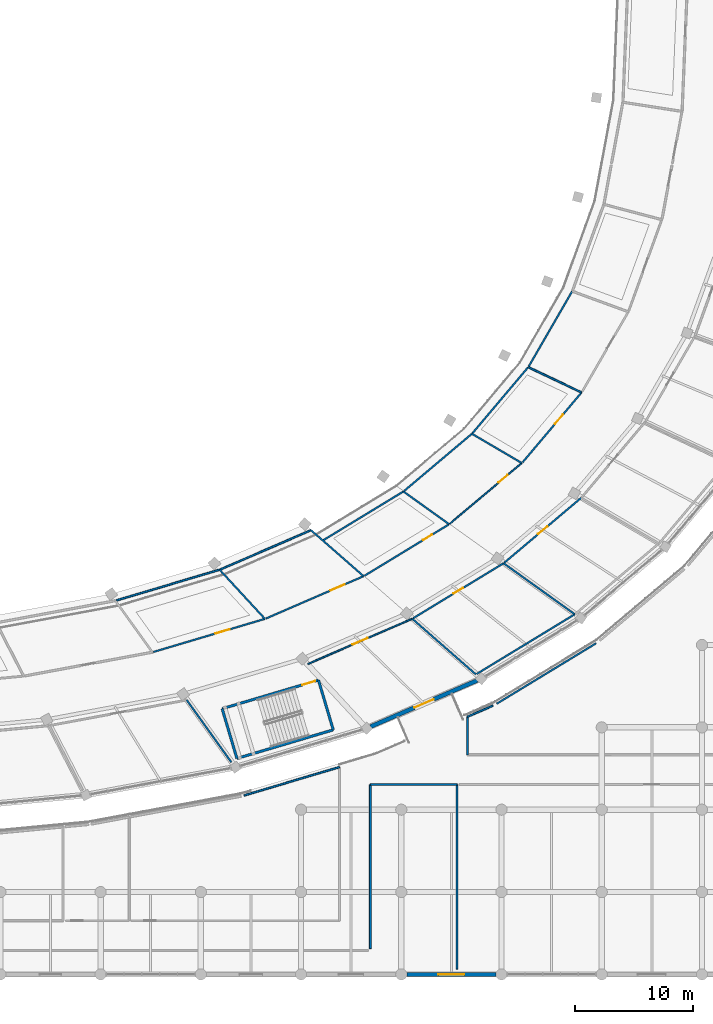
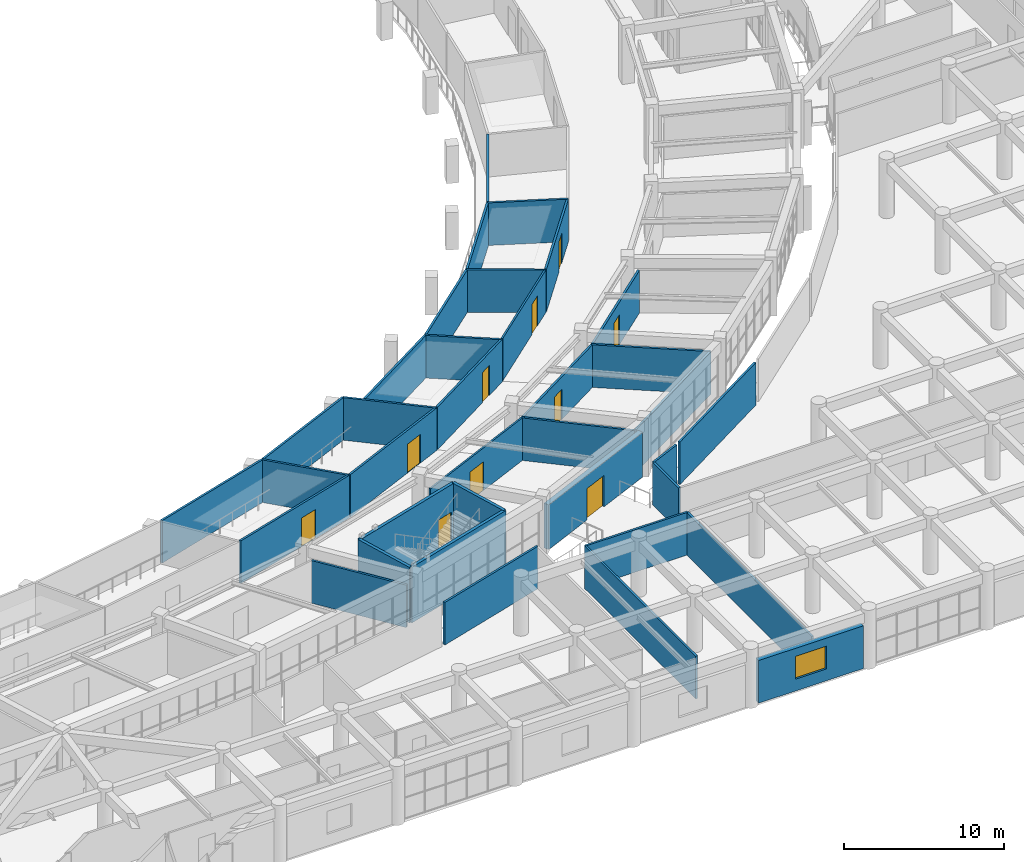
# One storey, part 98 of 141: 36 walls, 10 doors, 1 window, 11 openings.
"""IFC4 building model written with IfcOpenShell, lengths in metres."""

from ifc_helpers import new_model, si_unit, direction, frame, frame_2d, origin, place, context, subcontext, project, spatial, rectangle, extrude, material, layer, layer_set, type_object, element, fill, save


model = new_model("IFC4")

# Units and contexts
model_context = context("Model", 3, precision=1e-05, world=origin(), true_north=direction((0.0, 1.0)))
body_context = subcontext(model_context, "Body", "Model", "MODEL_VIEW")
ifc_project = project(units=[si_unit("LENGTHUNIT", "METRE"), si_unit("AREAUNIT", "SQUARE_METRE"), si_unit("VOLUMEUNIT", "CUBIC_METRE"), si_unit("PLANEANGLEUNIT", "RADIAN"), si_unit("MASSUNIT", "GRAM", prefix="KILO")], contexts=[model_context])

# Site, building, storey
site_placement = place(None, origin())
site = spatial("IfcSite", under=ifc_project, at=site_placement, CompositionType="ELEMENT")
building_placement = place(site_placement, origin())
building = spatial("IfcBuilding", under=site, at=building_placement, Name="Mphavela Belvedere Stadium", CompositionType="ELEMENT")
storey_placement = place(building_placement, frame((0.0, 0.0, 14.699951171875)))
storey = spatial("IfcBuildingStorey", under=building, at=storey_placement, Name="L03", CompositionType="ELEMENT", Elevation=14.699951171875)

# Walls
ifc_material_1 = material(Name="Concrete C40/50", Category="concrete")
ifc_layer_1 = layer(ifc_material_1, 0.219970703125)
ifc_layer_set_1 = layer_set([ifc_layer_1], Name="Concrete C40/50")
wall_type_1 = type_object("IfcWallType", Name="WAL-CORE-SHEAR-220", PredefinedType="SHEAR", material=ifc_layer_set_1)
wall_1_placement = place(storey_placement, frame((173.10498046875, 20.784912109375, 0.0), z_axis=(0.0, 0.0, 1.0), x_axis=(-0.958675743706, -0.284500998997, 0.0)))
element("IfcWall", 1, at=wall_1_placement, inside=storey, type_object=wall_type_1, Name="Core P04 shear wall L03 rear", PredefinedType="SHEAR", context=body_context, shape_type="SweptSolid", body=[
    extrude(rectangle(XDim=8.540283203125, YDim=0.219970703125, at=frame_2d((4.27001953125, 0.0))), origin(), (0.0, 0.0, 1.0), 4.25),
])
wall_2_placement = place(storey_placement, frame((171.85009765625, 25.0126953125, 0.0), z_axis=(0.0, 0.0, 1.0), x_axis=(0.284548207311, -0.958661732686, 0.0)))
element("IfcWall", 2, at=wall_2_placement, inside=storey, type_object=wall_type_1, Name="Core P04 shear wall L03 left", PredefinedType="SHEAR", context=body_context, shape_type="SweptSolid", body=[
    extrude(rectangle(XDim=4.41015625, YDim=0.219970703125, at=frame_2d((2.205078125, 0.0))), origin(), (0.0, 0.0, 1.0), 4.25),
])
wall_3_placement = place(storey_placement, frame((163.6630859375, 22.5830078125, 0.0), z_axis=(0.0, 0.0, 1.0), x_axis=(0.284497328872, -0.958676832861, 0.0)))
element("IfcWall", 3, at=wall_3_placement, inside=storey, type_object=wall_type_1, Name="Core P04 shear wall L03 right", PredefinedType="SHEAR", context=body_context, shape_type="SweptSolid", body=[
    extrude(rectangle(XDim=4.409912109375, YDim=0.219970703125, at=frame_2d((2.205078125, 0.0))), origin(), (0.0, 0.0, 1.0), 4.25),
])

# Wall, opening, door
wall_4_placement = place(storey_placement, frame((171.85009765625, 25.0126953125, 0.0), z_axis=(0.0, 0.0, 1.0), x_axis=(-0.95867342973, -0.284508796227, 0.0)))
wall_4 = element("IfcWall", 4, at=wall_4_placement, inside=storey, type_object=wall_type_1, Name="Core P04 shear wall L03 front", PredefinedType="SHEAR", context=body_context, shape_type="SweptSolid", body=[
    extrude(rectangle(XDim=8.5400390625, YDim=0.219970703125, at=frame_2d((4.27001953125, 0.0))), origin(), (0.0, 0.0, 1.0), 4.25),
])
opening_1_placement = place(wall_4_placement, frame((0.300048828125, 0.0, 0.0)))
opening_1 = element("IfcOpeningElement", 5, at=opening_1_placement, cuts=wall_4, Name="Opening SD-085", PredefinedType="OPENING", context=body_context, shape_type="SweptSolid", body=[
    extrude(rectangle(XDim=1.14990234375, YDim=2.14990234375, at=frame_2d((0.574951171875, 1.074951171875))), frame((0.0, 0.1201171875, 0.0), z_axis=(0.0, -1.0, 0.0), x_axis=(1.0, 0.0, 0.0)), (0.0, 0.0, 1.0), 0.239990234375),
])
ifc_material_2 = material(Name="Steel acoustic fire-resisting stair doorset", Category="steel")
door_type_1 = type_object("IfcDoorType", Name="DR-STAIR-FIRE-1150", OperationType="NOTDEFINED", PredefinedType="DOOR", material=ifc_material_2)
door_1_placement = place(opening_1_placement, origin())
door_1 = element("IfcDoor", 6, at=door_1_placement, inside=storey, type_object=door_type_1, Name="Escape stair fire door P04 L03", OperationType="SINGLE_SWING_LEFT", OverallHeight=2.14990234375, OverallWidth=1.14990234375, PredefinedType="DOOR", context=body_context, shape_type="SweptSolid", body=[
    extrude(rectangle(XDim=1.14990234375, YDim=2.14990234375, at=frame_2d((0.574951171875, 1.074951171875))), frame((0.0, 0.02490234375, 0.0), z_axis=(0.0, -1.0, 0.0), x_axis=(1.0, 0.0, 0.0)), (0.0, 0.0, 1.0), 0.050048828125),
])
fill(opening_1, door_1)

ifc_material_3 = material(Name="Honed ashlar limestone masonry", Category="masonry")
ifc_layer_2 = layer(ifc_material_3, 0.35009765625)
ifc_layer_set_2 = layer_set([ifc_layer_2], Name="Honed ashlar limestone masonry")
wall_type_2 = type_object("IfcWallType", Name="WAL-EXT-ASHLAR-350", PredefinedType="STANDARD", material=ifc_layer_set_2)
wall_5_placement = place(storey_placement, frame((185.35400390625, 24.99072265625, 0.0), z_axis=(0.0, 0.0, 1.0), x_axis=(-0.917502782842, -0.397729359587, 0.0)))
wall_5 = element("IfcWall", 7, at=wall_5_placement, inside=storey, type_object=wall_type_2, Name="Classical link portal wall L03-41", PredefinedType="STANDARD", context=body_context, shape_type="SweptSolid", body=[
    extrude(rectangle(XDim=9.89013671875, YDim=0.35009765625, at=frame_2d((4.945068359375, 0.0))), origin(), (0.0, 0.0, 1.0), 3.420166015625),
])
opening_2_placement = place(wall_5_placement, frame((4.045166015625, 0.0, 0.0)))
opening_2 = element("IfcOpeningElement", 8, at=opening_2_placement, cuts=wall_5, Name="Opening ID-9340", PredefinedType="OPENING", context=body_context, shape_type="SweptSolid", body=[
    extrude(rectangle(XDim=1.800048828125, YDim=2.39990234375, at=frame_2d((0.89990234375, 1.199951171875))), frame((0.0, 0.18505859375, 0.0), z_axis=(0.0, -1.0, 0.0), x_axis=(1.0, 0.0, 0.0)), (0.0, 0.0, 1.0), 0.3701171875),
])
ifc_material_4 = material(Name="Glazed bronze-anodised steel exit doorset", Category="steel")
door_type_2 = type_object("IfcDoorType", Name="DR-EXT-01", OperationType="NOTDEFINED", PredefinedType="DOOR", material=ifc_material_4)
door_2_placement = place(opening_2_placement, origin())
door_2 = element("IfcDoor", 9, at=door_2_placement, inside=storey, type_object=door_type_2, Name="Wing promenade link doorset L03-41", OperationType="DOUBLE_DOOR_SINGLE_SWING", OverallHeight=2.39990234375, OverallWidth=1.800048828125, PredefinedType="DOOR", context=body_context, shape_type="SweptSolid", body=[
    extrude(rectangle(XDim=1.800048828125, YDim=2.39990234375, at=frame_2d((0.89990234375, 1.199951171875))), frame((0.0, 0.02490234375, 0.0), z_axis=(0.0, -1.0, 0.0), x_axis=(1.0, 0.0, 0.0)), (0.0, 0.0, 1.0), 0.050048828125),
])
fill(opening_2, door_2)

# Wall, opening, window
wall_6_placement = place(storey_placement, frame((186.93408203125, 0.0, 0.0), z_axis=(0.0, 0.0, 1.0), x_axis=(-1.0, 0.0, 0.0)))
wall_6 = element("IfcWall", 10, at=wall_6_placement, inside=storey, type_object=wall_type_2, Name="South Axial Triumphal Peristyle Portico outer facade bay L03-22", PredefinedType="STANDARD", context=body_context, shape_type="SweptSolid", body=[
    extrude(rectangle(XDim=7.572021484375, YDim=0.35009765625, at=frame_2d((3.7861328125, 0.0))), origin(), (0.0, 0.0, 1.0), 3.260009765625),
])
opening_3_placement = place(wall_6_placement, frame((2.676025390625, 0.0, 0.89990234375)))
opening_3 = element("IfcOpeningElement", 11, at=opening_3_placement, cuts=wall_6, Name="Opening W-108", PredefinedType="OPENING", context=body_context, shape_type="SweptSolid", body=[
    extrude(rectangle(XDim=2.219970703125, YDim=1.75, at=frame_2d((1.10986328125, 0.875))), frame((0.0, 0.18505859375, 0.0), z_axis=(0.0, -1.0, 0.0), x_axis=(1.0, 0.0, 0.0)), (0.0, 0.0, 1.0), 0.3701171875),
])
ifc_material_5 = material(Name="Bronze-anodised thermally broken aluminium window", Category="aluminium")
window_type = type_object("IfcWindowType", Name="WIN-EXT-20", PartitioningType="SINGLE_PANEL", PredefinedType="WINDOW", material=ifc_material_5)
window_placement = place(opening_3_placement, origin())
window = element("IfcWindow", 12, at=window_placement, inside=storey, type_object=window_type, Name="South Axial Triumphal Peristyle Portico classical window W-108", OverallHeight=1.75, OverallWidth=2.219970703125, PartitioningType="SINGLE_PANEL", PredefinedType="WINDOW", context=body_context, shape_type="SweptSolid", body=[
    extrude(rectangle(XDim=2.219970703125, YDim=1.75, at=frame_2d((1.10986328125, 0.875))), frame((0.0, 0.030029296875, 0.0), z_axis=(0.0, -1.0, 0.0), x_axis=(1.0, 0.0, 0.0)), (0.0, 0.0, 1.0), 0.06005859375),
])
fill(opening_3, window)

# Wall, opening, door
ifc_material_6 = material(Name="Moisture-resistant sanitary partition assembly")
ifc_layer_3 = layer(ifc_material_6, 0.125)
ifc_layer_set_3 = layer_set([ifc_layer_3], Name="Moisture-resistant sanitary partition assembly")
wall_type_3 = type_object("IfcWallType", Name="WAL-PART-125", PredefinedType="PARTITIONING", material=ifc_layer_set_3)
wall_7_placement = place(storey_placement, frame((170.9462890625, 26.38134765625, 0.0), z_axis=(0.0, 0.0, 1.0), x_axis=(0.917508957037, 0.39771511633, 0.0)))
wall_7 = element("IfcWall", 13, at=wall_7_placement, inside=storey, type_object=wall_type_3, Name="Room L03-143 corridor partition", PredefinedType="PARTITIONING", context=body_context, shape_type="SweptSolid", body=[
    extrude(rectangle(XDim=9.67138671875, YDim=0.125, at=frame_2d((4.835693359375, 0.0))), origin(), (0.0, 0.0, 1.0), 3.25),
])
opening_4_placement = place(wall_7_placement, frame((4.1357421875, 0.0, 0.0)))
opening_4 = element("IfcOpeningElement", 14, at=opening_4_placement, cuts=wall_7, Name="Opening ID-312", PredefinedType="OPENING", context=body_context, shape_type="SweptSolid", body=[
    extrude(rectangle(XDim=1.39990234375, YDim=2.199951171875, at=frame_2d((0.699951171875, 1.10009765625))), frame((0.0, 0.072509765625, 0.0), z_axis=(0.0, -1.0, 0.0), x_axis=(1.0, 0.0, 0.0)), (0.0, 0.0, 1.0), 0.14501953125),
])
ifc_material_7 = material(Name="Hardwood acoustic timber doorset", Category="wood")
door_type_3 = type_object("IfcDoorType", Name="DR-INT-24", OperationType="NOTDEFINED", PredefinedType="DOOR", material=ifc_material_7)
door_3_placement = place(opening_4_placement, origin())
door_3 = element("IfcDoor", 15, at=door_3_placement, inside=storey, type_object=door_type_3, Name="Room L03-143 entrance door ID-312", OperationType="SINGLE_SWING_RIGHT", OverallHeight=2.199951171875, OverallWidth=1.39990234375, PredefinedType="DOOR", context=body_context, shape_type="SweptSolid", body=[
    extrude(rectangle(XDim=1.39990234375, YDim=2.199951171875, at=frame_2d((0.699951171875, 1.10009765625))), frame((0.0, 0.02490234375, 0.0), z_axis=(0.0, -1.0, 0.0), x_axis=(1.0, 0.0, 0.0)), (0.0, 0.0, 1.0), 0.050048828125),
])
fill(opening_4, door_3)

wall_8_placement = place(storey_placement, frame((189.133056640625, 43.460693359375, 0.0), z_axis=(0.0, 0.0, 1.0), x_axis=(-0.764249122867, -0.644921141068, 0.0)))
wall_8 = element("IfcWall", 16, at=wall_8_placement, inside=storey, type_object=wall_type_3, Name="Room L03-148 corridor partition", PredefinedType="PARTITIONING", context=body_context, shape_type="SweptSolid", body=[
    extrude(rectangle(XDim=7.989501953125, YDim=0.125, at=frame_2d((3.99462890625, 0.0))), origin(), (0.0, 0.0, 1.0), 3.25),
])
opening_5_placement = place(wall_8_placement, frame((1.593994140625, 0.0, 0.0)))
opening_5 = element("IfcOpeningElement", 17, at=opening_5_placement, cuts=wall_8, Name="Opening ID-315", PredefinedType="OPENING", context=body_context, shape_type="SweptSolid", body=[
    extrude(rectangle(XDim=0.97998046875, YDim=2.300048828125, at=frame_2d((0.489990234375, 1.14990234375))), frame((0.0, 0.072509765625, 0.0), z_axis=(0.0, -1.0, 0.0), x_axis=(1.0, 0.0, 0.0)), (0.0, 0.0, 1.0), 0.14501953125),
])
ifc_material_8 = material(Name="Hardwood acoustic timber doorset", Category="wood")
door_type_4 = type_object("IfcDoorType", Name="DR-INT-27", OperationType="NOTDEFINED", PredefinedType="DOOR", material=ifc_material_8)
door_4_placement = place(opening_5_placement, origin())
door_4 = element("IfcDoor", 18, at=door_4_placement, inside=storey, type_object=door_type_4, Name="Room L03-148 entrance door ID-315", OperationType="SINGLE_SWING_LEFT", OverallHeight=2.300048828125, OverallWidth=0.97998046875, PredefinedType="DOOR", context=body_context, shape_type="SweptSolid", body=[
    extrude(rectangle(XDim=0.97998046875, YDim=2.300048828125, at=frame_2d((0.489990234375, 1.14990234375))), frame((0.0, 0.02490234375, 0.0), z_axis=(0.0, -1.0, 0.0), x_axis=(1.0, 0.0, 0.0)), (0.0, 0.0, 1.0), 0.050048828125),
])
fill(opening_5, door_4)

ifc_material_9 = material(Name="Acoustic gypsum stud partition assembly")
ifc_layer_4 = layer(ifc_material_9, 0.14990234375)
ifc_layer_set_4 = layer_set([ifc_layer_4], Name="Acoustic gypsum stud partition assembly")
wall_type_4 = type_object("IfcWallType", Name="WAL-PART-150", PredefinedType="PARTITIONING", material=ifc_layer_set_4)
wall_9_placement = place(storey_placement, frame((167.298828125, 30.218994140625, 0.0), z_axis=(0.0, 0.0, 1.0), x_axis=(-0.958655809656, -0.284568161629, 0.0)))
wall_9 = element("IfcWall", 19, at=wall_9_placement, inside=storey, type_object=wall_type_4, Name="Room L03-140 corridor partition", PredefinedType="PARTITIONING", context=body_context, shape_type="SweptSolid", body=[
    extrude(rectangle(XDim=9.89111328125, YDim=0.14990234375, at=frame_2d((4.945556640625, 0.0))), origin(), (0.0, 0.0, 1.0), 3.25),
])
opening_6_placement = place(wall_9_placement, frame((3.116943359375, 0.0, 0.0)))
opening_6 = element("IfcOpeningElement", 20, at=opening_6_placement, cuts=wall_9, Name="Opening ID-310", PredefinedType="OPENING", context=body_context, shape_type="SweptSolid", body=[
    extrude(rectangle(XDim=1.260009765625, YDim=2.199951171875, at=frame_2d((0.6298828125, 1.10009765625))), frame((0.0, 0.0849609375, 0.0), z_axis=(0.0, -1.0, 0.0), x_axis=(1.0, 0.0, 0.0)), (0.0, 0.0, 1.0), 0.169921875),
])
ifc_material_10 = material(Name="Hardwood acoustic timber doorset", Category="wood")
door_type_5 = type_object("IfcDoorType", Name="DR-INT-22", OperationType="NOTDEFINED", PredefinedType="DOOR", material=ifc_material_10)
door_5_placement = place(opening_6_placement, origin())
door_5 = element("IfcDoor", 21, at=door_5_placement, inside=storey, type_object=door_type_5, Name="Room L03-140 entrance door ID-310", OperationType="SINGLE_SWING_RIGHT", OverallHeight=2.199951171875, OverallWidth=1.260009765625, PredefinedType="DOOR", context=body_context, shape_type="SweptSolid", body=[
    extrude(rectangle(XDim=1.260009765625, YDim=2.199951171875, at=frame_2d((0.6298828125, 1.10009765625))), frame((0.0, 0.02490234375, 0.0), z_axis=(0.0, -1.0, 0.0), x_axis=(1.0, 0.0, 0.0)), (0.0, 0.0, 1.0), 0.050048828125),
])
fill(opening_6, door_5)

wall_10_placement = place(storey_placement, frame((175.684814453125, 33.84619140625, 0.0), z_axis=(0.0, 0.0, 1.0), x_axis=(-0.917494590455, -0.397748257677, 0.0)))
wall_10 = element("IfcWall", 22, at=wall_10_placement, inside=storey, type_object=wall_type_4, Name="Room L03-142 corridor partition", PredefinedType="PARTITIONING", context=body_context, shape_type="SweptSolid", body=[
    extrude(rectangle(XDim=9.04931640625, YDim=0.14990234375, at=frame_2d((4.524658203125, 0.0))), origin(), (0.0, 0.0, 1.0), 3.25),
])
opening_7_placement = place(wall_10_placement, frame((1.73779296875, 0.0, 0.0)))
opening_7 = element("IfcOpeningElement", 23, at=opening_7_placement, cuts=wall_10, Name="Opening ID-311", PredefinedType="OPENING", context=body_context, shape_type="SweptSolid", body=[
    extrude(rectangle(XDim=1.320068359375, YDim=2.199951171875, at=frame_2d((0.66015625, 1.10009765625))), frame((0.0, 0.0849609375, 0.0), z_axis=(0.0, -1.0, 0.0), x_axis=(1.0, 0.0, 0.0)), (0.0, 0.0, 1.0), 0.169921875),
])
ifc_material_11 = material(Name="Hardwood acoustic timber doorset", Category="wood")
door_type_6 = type_object("IfcDoorType", Name="DR-INT-23", OperationType="NOTDEFINED", PredefinedType="DOOR", material=ifc_material_11)
door_6_placement = place(opening_7_placement, origin())
door_6 = element("IfcDoor", 24, at=door_6_placement, inside=storey, type_object=door_type_6, Name="Room L03-142 entrance door ID-311", OperationType="SINGLE_SWING_LEFT", OverallHeight=2.199951171875, OverallWidth=1.320068359375, PredefinedType="DOOR", context=body_context, shape_type="SweptSolid", body=[
    extrude(rectangle(XDim=1.320068359375, YDim=2.199951171875, at=frame_2d((0.66015625, 1.10009765625))), frame((0.0, 0.02490234375, 0.0), z_axis=(0.0, -1.0, 0.0), x_axis=(1.0, 0.0, 0.0)), (0.0, 0.0, 1.0), 0.050048828125),
])
fill(opening_7, door_6)

wall_11_placement = place(storey_placement, frame((182.95654296875, 38.26025390625, 0.0), z_axis=(0.0, 0.0, 1.0), x_axis=(-0.854330104408, -0.519730769439, 0.0)))
wall_11 = element("IfcWall", 25, at=wall_11_placement, inside=storey, type_object=wall_type_4, Name="Room L03-145 corridor partition", PredefinedType="PARTITIONING", context=body_context, shape_type="SweptSolid", body=[
    extrude(rectangle(XDim=8.420166015625, YDim=0.14990234375, at=frame_2d((4.2099609375, 0.0))), origin(), (0.0, 0.0, 1.0), 3.25),
])
opening_8_placement = place(wall_11_placement, frame((1.696044921875, 0.0, 0.0)))
opening_8 = element("IfcOpeningElement", 26, at=opening_8_placement, cuts=wall_11, Name="Opening ID-313", PredefinedType="OPENING", context=body_context, shape_type="SweptSolid", body=[
    extrude(rectangle(XDim=0.89990234375, YDim=2.300048828125, at=frame_2d((0.449951171875, 1.14990234375))), frame((0.0, 0.0849609375, 0.0), z_axis=(0.0, -1.0, 0.0), x_axis=(1.0, 0.0, 0.0)), (0.0, 0.0, 1.0), 0.169921875),
])
ifc_material_12 = material(Name="Hardwood acoustic timber doorset", Category="wood")
door_type_7 = type_object("IfcDoorType", Name="DR-INT-25", OperationType="NOTDEFINED", PredefinedType="DOOR", material=ifc_material_12)
door_7_placement = place(opening_8_placement, origin())
door_7 = element("IfcDoor", 27, at=door_7_placement, inside=storey, type_object=door_type_7, Name="Room L03-145 entrance door ID-313", OperationType="SINGLE_SWING_LEFT", OverallHeight=2.300048828125, OverallWidth=0.89990234375, PredefinedType="DOOR", context=body_context, shape_type="SweptSolid", body=[
    extrude(rectangle(XDim=0.89990234375, YDim=2.300048828125, at=frame_2d((0.449951171875, 1.14990234375))), frame((0.0, 0.02490234375, 0.0), z_axis=(0.0, -1.0, 0.0), x_axis=(1.0, 0.0, 0.0)), (0.0, 0.0, 1.0), 0.050048828125),
])
fill(opening_8, door_7)

wall_12_placement = place(storey_placement, frame((179.89453125, 30.268798828125, 0.0), z_axis=(0.0, 0.0, 1.0), x_axis=(0.854321649351, 0.519744667554, 0.0)))
wall_12 = element("IfcWall", 28, at=wall_12_placement, inside=storey, type_object=wall_type_4, Name="Room L03-146 corridor partition", PredefinedType="PARTITIONING", context=body_context, shape_type="SweptSolid", body=[
    extrude(rectangle(XDim=8.99853515625, YDim=0.14990234375, at=frame_2d((4.499267578125, 0.0))), origin(), (0.0, 0.0, 1.0), 3.25),
])
opening_9_placement = place(wall_12_placement, frame((4.029296875, 0.0, 0.0)))
opening_9 = element("IfcOpeningElement", 29, at=opening_9_placement, cuts=wall_12, Name="Opening ID-314", PredefinedType="OPENING", context=body_context, shape_type="SweptSolid", body=[
    extrude(rectangle(XDim=0.93994140625, YDim=2.300048828125, at=frame_2d((0.469970703125, 1.14990234375))), frame((0.0, 0.0849609375, 0.0), z_axis=(0.0, -1.0, 0.0), x_axis=(1.0, 0.0, 0.0)), (0.0, 0.0, 1.0), 0.169921875),
])
ifc_material_13 = material(Name="Hardwood acoustic timber doorset", Category="wood")
door_type_8 = type_object("IfcDoorType", Name="DR-INT-26", OperationType="NOTDEFINED", PredefinedType="DOOR", material=ifc_material_13)
door_8_placement = place(opening_9_placement, origin())
door_8 = element("IfcDoor", 30, at=door_8_placement, inside=storey, type_object=door_type_8, Name="Room L03-146 entrance door ID-314", OperationType="SINGLE_SWING_RIGHT", OverallHeight=2.300048828125, OverallWidth=0.93994140625, PredefinedType="DOOR", context=body_context, shape_type="SweptSolid", body=[
    extrude(rectangle(XDim=0.93994140625, YDim=2.300048828125, at=frame_2d((0.469970703125, 1.14990234375))), frame((0.0, 0.02490234375, 0.0), z_axis=(0.0, -1.0, 0.0), x_axis=(1.0, 0.0, 0.0)), (0.0, 0.0, 1.0), 0.050048828125),
])
fill(opening_9, door_8)

wall_13_placement = place(storey_placement, frame((187.649169921875, 34.996337890625, 0.0), z_axis=(0.0, 0.0, 1.0), x_axis=(0.764257572309, 0.644911128117, 0.0)))
wall_13 = element("IfcWall", 31, at=wall_13_placement, inside=storey, type_object=wall_type_4, Name="Room L03-149 corridor partition", PredefinedType="PARTITIONING", context=body_context, shape_type="SweptSolid", body=[
    extrude(rectangle(XDim=8.53857421875, YDim=0.14990234375, at=frame_2d((4.269287109375, 0.0))), origin(), (0.0, 0.0, 1.0), 3.25),
])
opening_10_placement = place(wall_13_placement, frame((3.75927734375, 0.0, 0.0)))
opening_10 = element("IfcOpeningElement", 32, at=opening_10_placement, cuts=wall_13, Name="Opening ID-316", PredefinedType="OPENING", context=body_context, shape_type="SweptSolid", body=[
    extrude(rectangle(XDim=1.02001953125, YDim=2.300048828125, at=frame_2d((0.510009765625, 1.14990234375))), frame((0.0, 0.0849609375, 0.0), z_axis=(0.0, -1.0, 0.0), x_axis=(1.0, 0.0, 0.0)), (0.0, 0.0, 1.0), 0.169921875),
])
ifc_material_14 = material(Name="Hardwood acoustic timber doorset", Category="wood")
door_type_9 = type_object("IfcDoorType", Name="DR-INT-28", OperationType="NOTDEFINED", PredefinedType="DOOR", material=ifc_material_14)
door_9_placement = place(opening_10_placement, origin())
door_9 = element("IfcDoor", 33, at=door_9_placement, inside=storey, type_object=door_type_9, Name="Room L03-149 entrance door ID-316", OperationType="SINGLE_SWING_RIGHT", OverallHeight=2.300048828125, OverallWidth=1.02001953125, PredefinedType="DOOR", context=body_context, shape_type="SweptSolid", body=[
    extrude(rectangle(XDim=1.02001953125, YDim=2.300048828125, at=frame_2d((0.510009765625, 1.14990234375))), frame((0.0, 0.02490234375, 0.0), z_axis=(0.0, -1.0, 0.0), x_axis=(1.0, 0.0, 0.0)), (0.0, 0.0, 1.0), 0.050048828125),
])
fill(opening_10, door_9)

wall_14_placement = place(storey_placement, frame((194.212158203125, 49.4619140625, 0.0), z_axis=(0.0, 0.0, 1.0), x_axis=(-0.645180817826, -0.764029915847, 0.0)))
wall_14 = element("IfcWall", 34, at=wall_14_placement, inside=storey, type_object=wall_type_4, Name="Room L03-151 corridor partition", PredefinedType="PARTITIONING", context=body_context, shape_type="SweptSolid", body=[
    extrude(rectangle(XDim=7.779296875, YDim=0.14990234375, at=frame_2d((3.8896484375, 0.0))), origin(), (0.0, 0.0, 1.0), 3.25),
])
opening_11_placement = place(wall_14_placement, frame((2.44775390625, 0.0, 0.0)))
opening_11 = element("IfcOpeningElement", 35, at=opening_11_placement, cuts=wall_14, Name="Opening ID-317", PredefinedType="OPENING", context=body_context, shape_type="SweptSolid", body=[
    extrude(rectangle(XDim=1.06005859375, YDim=2.300048828125, at=frame_2d((0.530029296875, 1.14990234375))), frame((0.0, 0.0849609375, 0.0), z_axis=(0.0, -1.0, 0.0), x_axis=(1.0, 0.0, 0.0)), (0.0, 0.0, 1.0), 0.169921875),
])
ifc_material_15 = material(Name="Hardwood acoustic timber doorset", Category="wood")
door_type_10 = type_object("IfcDoorType", Name="DR-INT-29", OperationType="NOTDEFINED", PredefinedType="DOOR", material=ifc_material_15)
door_10_placement = place(opening_11_placement, origin())
door_10 = element("IfcDoor", 36, at=door_10_placement, inside=storey, type_object=door_type_10, Name="Room L03-151 entrance door ID-317", OperationType="SINGLE_SWING_LEFT", OverallHeight=2.300048828125, OverallWidth=1.06005859375, PredefinedType="DOOR", context=body_context, shape_type="SweptSolid", body=[
    extrude(rectangle(XDim=1.06005859375, YDim=2.300048828125, at=frame_2d((0.530029296875, 1.14990234375))), frame((0.0, 0.02490234375, 0.0), z_axis=(0.0, -1.0, 0.0), x_axis=(1.0, 0.0, 0.0)), (0.0, 0.0, 1.0), 0.050048828125),
])
fill(opening_11, door_10)

# Walls
wall_15_placement = place(storey_placement, frame((160.64892578125, 23.3203125, 0.0), z_axis=(0.0, 0.0, 1.0), x_axis=(0.58306104439, -0.812428346696, 0.0)))
element("IfcWall", 37, at=wall_15_placement, inside=storey, type_object=wall_type_4, Name="Room divider partition L03-0557", PredefinedType="PARTITIONING", context=body_context, shape_type="SweptSolid", body=[
    extrude(rectangle(XDim=6.51953125, YDim=0.14990234375, at=frame_2d((3.259765625, 0.0))), origin(), (0.0, 0.0, 1.0), 3.25),
])
wall_16_placement = place(storey_placement, frame((154.67138671875, 31.78759765625, 0.0), z_axis=(0.0, 0.0, 1.0), x_axis=(0.958661639872, 0.284548520005, 0.0)))
element("IfcWall", 38, at=wall_16_placement, inside=storey, type_object=wall_type_4, Name="Room divider partition L03-0558", PredefinedType="PARTITIONING", context=body_context, shape_type="SweptSolid", body=[
    extrude(rectangle(XDim=9.157470703125, YDim=0.14990234375, at=frame_2d((4.57861328125, 0.0))), origin(), (0.0, 0.0, 1.0), 3.25),
])
wall_17_placement = place(storey_placement, frame((163.4501953125, 34.393310546875, 0.0), z_axis=(0.0, 0.0, 1.0), x_axis=(0.677844218495, -0.735205559999, 0.0)))
element("IfcWall", 39, at=wall_17_placement, inside=storey, type_object=wall_type_4, Name="Room divider partition L03-0559", PredefinedType="PARTITIONING", context=body_context, shape_type="SweptSolid", body=[
    extrude(rectangle(XDim=5.677734375, YDim=0.14990234375, at=frame_2d((2.8388671875, 0.0))), origin(), (0.0, 0.0, 1.0), 3.25),
])
wall_18_placement = place(storey_placement, frame((163.5302734375, 34.42431640625, 0.0), z_axis=(0.0, 0.0, 1.0), x_axis=(0.917493946853, 0.397749742286, 0.0)))
element("IfcWall", 40, at=wall_18_placement, inside=storey, type_object=wall_type_4, Name="Room divider partition L03-0560", PredefinedType="PARTITIONING", context=body_context, shape_type="SweptSolid", body=[
    extrude(rectangle(XDim=8.377197265625, YDim=0.14990234375, at=frame_2d((4.1884765625, 0.0))), origin(), (0.0, 0.0, 1.0), 3.25),
])
wall_19_placement = place(storey_placement, frame((171.21630859375, 37.75634765625, 0.0), z_axis=(0.0, 0.0, 1.0), x_axis=(0.752558865068, -0.658524984042, 0.0)))
element("IfcWall", 41, at=wall_19_placement, inside=storey, type_object=wall_type_4, Name="Room divider partition L03-0561", PredefinedType="PARTITIONING", context=body_context, shape_type="SweptSolid", body=[
    extrude(rectangle(XDim=5.937744140625, YDim=0.14990234375, at=frame_2d((2.96875, 0.0))), origin(), (0.0, 0.0, 1.0), 3.25),
])
wall_20_placement = place(storey_placement, frame((179.81982421875, 30.227783203125, 0.0), z_axis=(0.0, 0.0, 1.0), x_axis=(0.752576694707, -0.658504607869, 0.0)))
element("IfcWall", 42, at=wall_20_placement, inside=storey, type_object=wall_type_4, Name="Room divider partition L03-0562", PredefinedType="PARTITIONING", context=body_context, shape_type="SweptSolid", body=[
    extrude(rectangle(XDim=7.178466796875, YDim=0.14990234375, at=frame_2d((3.58935546875, 0.0))), origin(), (0.0, 0.0, 1.0), 3.25),
])
wall_21_placement = place(storey_placement, frame((172.291259765625, 36.921875, 0.0), z_axis=(0.0, 0.0, 1.0), x_axis=(0.854324504961, 0.519739973663, 0.0)))
element("IfcWall", 43, at=wall_21_placement, inside=storey, type_object=wall_type_4, Name="Room divider partition L03-0563", PredefinedType="PARTITIONING", context=body_context, shape_type="SweptSolid", body=[
    extrude(rectangle(XDim=7.933837890625, YDim=0.14990234375, at=frame_2d((3.966796875, 0.0))), origin(), (0.0, 0.0, 1.0), 3.25),
])
wall_22_placement = place(storey_placement, frame((179.0693359375, 41.04541015625, 0.0), z_axis=(0.0, 0.0, 1.0), x_axis=(0.812884001359, -0.582425617856, 0.0)))
element("IfcWall", 44, at=wall_22_placement, inside=storey, type_object=wall_type_4, Name="Room divider partition L03-0564", PredefinedType="PARTITIONING", context=body_context, shape_type="SweptSolid", body=[
    extrude(rectangle(XDim=4.781982421875, YDim=0.14990234375, at=frame_2d((2.39111328125, 0.0))), origin(), (0.0, 0.0, 1.0), 3.25),
])
wall_23_placement = place(storey_placement, frame((187.582275390625, 34.94580078125, 0.0), z_axis=(0.0, 0.0, 1.0), x_axis=(0.812888534941, -0.582419290342, 0.0)))
element("IfcWall", 45, at=wall_23_placement, inside=storey, type_object=wall_type_4, Name="Room divider partition L03-0565", PredefinedType="PARTITIONING", context=body_context, shape_type="SweptSolid", body=[
    extrude(rectangle(XDim=7.446044921875, YDim=0.14990234375, at=frame_2d((3.72314453125, 0.0))), origin(), (0.0, 0.0, 1.0), 3.25),
])
wall_24_placement = place(storey_placement, frame((193.635009765625, 30.609130859375, 0.0), z_axis=(0.0, 0.0, 1.0), x_axis=(-0.854323689683, -0.519741313777, 0.0)))
element("IfcWall", 46, at=wall_24_placement, inside=storey, type_object=wall_type_4, Name="Room divider partition L03-0566", PredefinedType="PARTITIONING", context=body_context, shape_type="SweptSolid", body=[
    extrude(rectangle(XDim=9.755859375, YDim=0.14990234375, at=frame_2d((4.8779296875, 0.0))), origin(), (0.0, 0.0, 1.0), 3.25),
])
wall_25_placement = place(storey_placement, frame((179.13623046875, 41.095947265625, 0.0), z_axis=(0.0, 0.0, 1.0), x_axis=(0.764259013583, 0.644909420118, 0.0)))
element("IfcWall", 47, at=wall_25_placement, inside=storey, type_object=wall_type_4, Name="Room divider partition L03-0567", PredefinedType="PARTITIONING", context=body_context, shape_type="SweptSolid", body=[
    extrude(rectangle(XDim=7.52783203125, YDim=0.14990234375, at=frame_2d((3.763916015625, 0.0))), origin(), (0.0, 0.0, 1.0), 3.25),
])
wall_26_placement = place(storey_placement, frame((184.889404296875, 45.95068359375, 0.0), z_axis=(0.0, 0.0, 1.0), x_axis=(0.862491119601, -0.506072197032, 0.0)))
element("IfcWall", 48, at=wall_26_placement, inside=storey, type_object=wall_type_4, Name="Room divider partition L03-0568", PredefinedType="PARTITIONING", context=body_context, shape_type="SweptSolid", body=[
    extrude(rectangle(XDim=4.920166015625, YDim=0.14990234375, at=frame_2d((2.4599609375, 0.0))), origin(), (0.0, 0.0, 1.0), 3.25),
])
wall_27_placement = place(storey_placement, frame((184.9462890625, 46.010009765625, 0.0), z_axis=(0.0, 0.0, 1.0), x_axis=(0.645177360874, 0.764032835038, 0.0)))
element("IfcWall", 49, at=wall_27_placement, inside=storey, type_object=wall_type_4, Name="Room divider partition L03-0571", PredefinedType="PARTITIONING", context=body_context, shape_type="SweptSolid", body=[
    extrude(rectangle(XDim=7.3291015625, YDim=0.14990234375, at=frame_2d((3.66455078125, 0.0))), origin(), (0.0, 0.0, 1.0), 3.25),
])
wall_28_placement = place(storey_placement, frame((189.6748046875, 51.609619140625, 0.0), z_axis=(0.0, 0.0, 1.0), x_axis=(0.90385861711, -0.427831275476, 0.0)))
element("IfcWall", 50, at=wall_28_placement, inside=storey, type_object=wall_type_4, Name="Room divider partition L03-0572", PredefinedType="PARTITIONING", context=body_context, shape_type="SweptSolid", body=[
    extrude(rectangle(XDim=5.02001953125, YDim=0.14990234375, at=frame_2d((2.510009765625, 0.0))), origin(), (0.0, 0.0, 1.0), 3.25),
])
wall_29_placement = place(storey_placement, frame((189.720703125, 51.676513671875, 0.0), z_axis=(0.0, 0.0, 1.0), x_axis=(0.500555224894, 0.865704607144, 0.0)))
element("IfcWall", 51, at=wall_29_placement, inside=storey, type_object=wall_type_4, Name="Room divider partition L03-0575", PredefinedType="PARTITIONING", context=body_context, shape_type="SweptSolid", body=[
    extrude(rectangle(XDim=7.38330078125, YDim=0.14990234375, at=frame_2d((3.691650390625, 0.0))), origin(), (0.0, 0.0, 1.0), 3.25),
])
wall_30_placement = place(storey_placement, frame((176.260009765625, 2.199951171875, 0.0), z_axis=(0.0, 0.0, 1.0), x_axis=(0.0, 1.0, 0.0)))
element("IfcWall", 52, at=wall_30_placement, inside=storey, type_object=wall_type_4, Name="Room divider partition L03-0807", PredefinedType="PARTITIONING", context=body_context, shape_type="SweptSolid", body=[
    extrude(rectangle(XDim=13.93994140625, YDim=0.14990234375, at=frame_2d((6.969970703125, 0.0))), origin(), (0.0, 0.0, 1.0), 3.25),
])
wall_31_placement = place(storey_placement, frame((176.260009765625, 16.139892578125, 0.0), z_axis=(0.0, 0.0, 1.0), x_axis=(1.0, 0.0, 0.0)))
element("IfcWall", 53, at=wall_31_placement, inside=storey, type_object=wall_type_4, Name="Room divider partition L03-0808", PredefinedType="PARTITIONING", context=body_context, shape_type="SweptSolid", body=[
    extrude(rectangle(XDim=7.369873046875, YDim=0.14990234375, at=frame_2d((3.68505859375, 0.0))), origin(), (0.0, 0.0, 1.0), 3.25),
])
wall_32_placement = place(storey_placement, frame((183.6298828125, 16.139892578125, 0.0), z_axis=(0.0, 0.0, 1.0), x_axis=(0.0, -1.0, 0.0)))
element("IfcWall", 54, at=wall_32_placement, inside=storey, type_object=wall_type_4, Name="Room divider partition L03-0809", PredefinedType="PARTITIONING", context=body_context, shape_type="SweptSolid", body=[
    extrude(rectangle(XDim=15.68994140625, YDim=0.14990234375, at=frame_2d((7.844970703125, 0.0))), origin(), (0.0, 0.0, 1.0), 3.25),
])
wall_33_placement = place(storey_placement, frame((184.510009765625, 18.659912109375, 0.0), z_axis=(0.0, 0.0, 1.0), x_axis=(0.0, 1.0, 0.0)))
element("IfcWall", 55, at=wall_33_placement, inside=storey, type_object=wall_type_4, Name="Room divider partition L03-0812", PredefinedType="PARTITIONING", context=body_context, shape_type="SweptSolid", body=[
    extrude(rectangle(XDim=3.240234375, YDim=0.14990234375, at=frame_2d((1.6201171875, 0.0))), origin(), (0.0, 0.0, 1.0), 3.25),
])
wall_34_placement = place(storey_placement, frame((184.510009765625, 21.900146484375, 0.0), z_axis=(0.0, 0.0, 1.0), x_axis=(0.917484400903, 0.397771761314, 0.0)))
element("IfcWall", 56, at=wall_34_placement, inside=storey, type_object=wall_type_4, Name="Room divider partition L03-0813", PredefinedType="PARTITIONING", context=body_context, shape_type="SweptSolid", body=[
    extrude(rectangle(XDim=2.37646484375, YDim=0.14990234375, at=frame_2d((1.188232421875, 0.0))), origin(), (0.0, 0.0, 1.0), 3.25),
])
wall_35_placement = place(storey_placement, frame((186.99560546875, 23.00341796875, 0.0), z_axis=(0.0, 0.0, 1.0), x_axis=(0.854333268174, 0.519725568826, 0.0)))
element("IfcWall", 57, at=wall_35_placement, inside=storey, type_object=wall_type_4, Name="Room divider partition L03-0814", PredefinedType="PARTITIONING", context=body_context, shape_type="SweptSolid", body=[
    extrude(rectangle(XDim=9.90185546875, YDim=0.14990234375, at=frame_2d((4.950927734375, 0.0))), origin(), (0.0, 0.0, 1.0), 3.25),
])
wall_36_placement = place(storey_placement, frame((165.5126953125, 15.20654296875, 0.0), z_axis=(0.0, 0.0, 1.0), x_axis=(0.95866000112, 0.284554041006, 0.0)))
element("IfcWall", 58, at=wall_36_placement, inside=storey, type_object=wall_type_4, Name="Room divider partition L03-0835", PredefinedType="PARTITIONING", context=body_context, shape_type="SweptSolid", body=[
    extrude(rectangle(XDim=8.477783203125, YDim=0.14990234375, at=frame_2d((4.23876953125, 0.0))), origin(), (0.0, 0.0, 1.0), 3.25),
])

save(model, "model.ifc")
